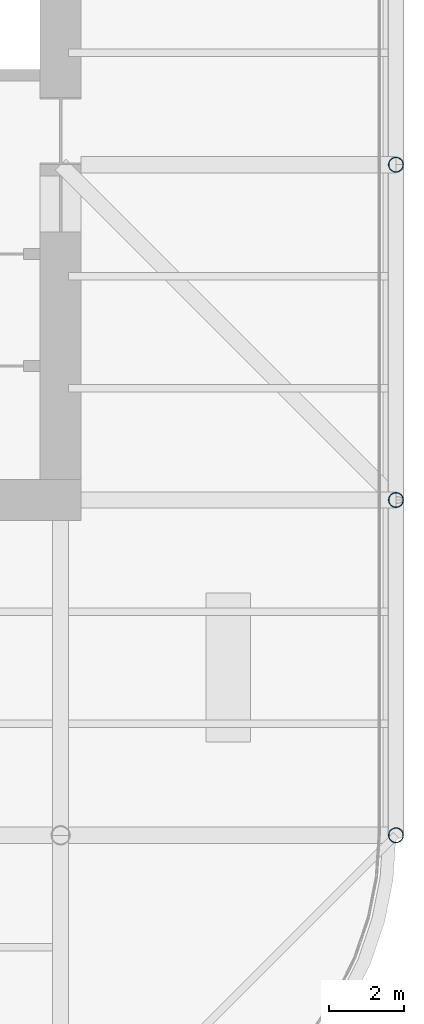
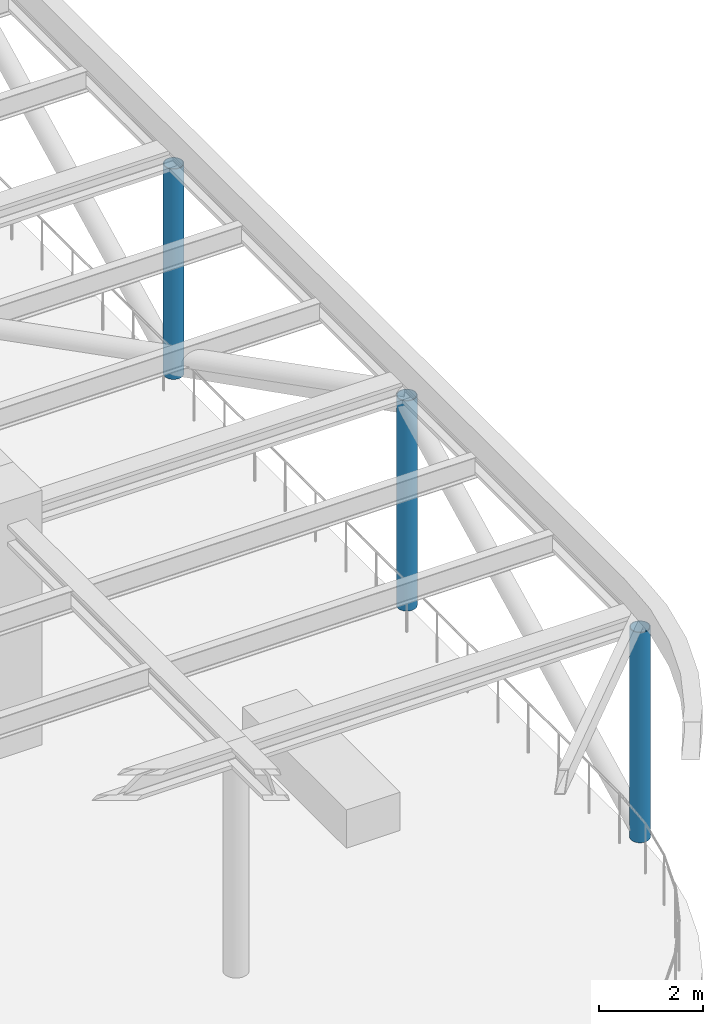
# One storey, part 2 of 8: 3 columns.
"""IFC4 building model written with IfcOpenShell, lengths in metres."""

import ifcopenshell
import ifcopenshell.guid

model = None  # the IFC model being written
_history = None  # IfcOwnerHistory: only IFC2X3 demands one
_inside = {}  # id of a spatial element -> (the spatial element, [elements in it])
_under = {}  # id of a project, library or spatial element -> (it, [spatial elements below it])
_declared = {}  # id of a project -> (the project, [libraries it declares])
_typed = {}  # id of a type object -> (the type object, [elements of that type])
_made_of = {}  # id of a material, layer set ... -> (it, [elements and type objects made of it])


def new_model(schema):
    """Start an empty IFC model of exactly this schema.

    Asked for "IFC4X3", IfcOpenShell would pick the latest addendum, in which some entities
    have other attributes; the version numbers below select the first issue.
    IFC2X3 requires an IfcOwnerHistory on every rooted entity: one is made here for all.
    """
    global model, _history
    if schema == "IFC4X3":
        model = ifcopenshell.file(schema_version=(4, 3, 0, 0))
    else:
        model = ifcopenshell.file(schema=schema)
    _inside.clear()
    _under.clear()
    _declared.clear()
    _typed.clear()
    _made_of.clear()
    _history = None
    if model.schema == "IFC2X3":
        org = make("IfcOrganization", Name="unknown")
        user = make(
            "IfcPersonAndOrganization",
            ThePerson=make("IfcPerson", FamilyName="unknown"),
            TheOrganization=org,
        )
        app = make(
            "IfcApplication",
            ApplicationDeveloper=org,
            Version="unknown",
            ApplicationFullName="unknown",
            ApplicationIdentifier="unknown",
        )
        _history = make(
            "IfcOwnerHistory",
            OwningUser=user,
            OwningApplication=app,
            ChangeAction="ADDED",
            CreationDate=0,
        )
    return model


def make(cls, **values):
    """One entity of the class cls with the attributes given. An attribute that is None is left unset."""
    return model.create_entity(
        cls, **{name: value for name, value in values.items() if value is not None}
    )


def rooted(cls, **values):
    """An entity with a GlobalId (a new one), such as an element, a storey or a relation."""
    return make(cls, GlobalId=ifcopenshell.guid.new(), OwnerHistory=_history, **values)


def si_unit(unit_type, name, prefix=None):
    """IfcSIUnit, for example si_unit("LENGTHUNIT", "METRE", prefix="MILLI")."""
    return make("IfcSIUnit", UnitType=unit_type, Prefix=prefix, Name=name)


def assignment(units):
    """IfcUnitAssignment: the units of a project."""
    return None if units is None else make("IfcUnitAssignment", Units=units)


def point(xyz):
    """IfcCartesianPoint."""
    return None if xyz is None else make("IfcCartesianPoint", Coordinates=xyz)


def direction(xyz):
    """IfcDirection."""
    return None if xyz is None else make("IfcDirection", DirectionRatios=xyz)


def frame(location, z_axis=None, x_axis=None):
    """IfcAxis2Placement3D, a coordinate frame: its origin and axes. An axis left out is left unset."""
    return make(
        "IfcAxis2Placement3D",
        Location=point(location),
        Axis=direction(z_axis),
        RefDirection=direction(x_axis),
    )


def frame_2d(location, x_axis=None):
    """IfcAxis2Placement2D, a coordinate frame in the plane: its origin and x axis."""
    return make(
        "IfcAxis2Placement2D", Location=point(location), RefDirection=direction(x_axis)
    )


def origin():
    """The frame at (0, 0, 0) with its axes left unset."""
    return frame((0.0, 0.0, 0.0))


def origin_2d():
    """The frame at (0, 0) in the plane with its x axis left unset."""
    return frame_2d((0.0, 0.0))


def place(relative_to, where):
    """IfcLocalPlacement: puts the frame where relative to a parent placement (None: the world)."""
    return make(
        "IfcLocalPlacement", PlacementRelTo=relative_to, RelativePlacement=where
    )


def context(
    kind, dimensions, precision=None, world=None, true_north=None, identifier=None
):
    """IfcGeometricRepresentationContext, for example the 3D "Model" context."""
    return make(
        "IfcGeometricRepresentationContext",
        ContextIdentifier=identifier,
        ContextType=kind,
        CoordinateSpaceDimension=dimensions,
        Precision=precision,
        WorldCoordinateSystem=world,
        TrueNorth=true_north,
    )


def subcontext(parent, identifier, kind, view, scale=None):
    """IfcGeometricRepresentationSubContext, for example "Body" below "Model"."""
    return make(
        "IfcGeometricRepresentationSubContext",
        ContextIdentifier=identifier,
        ContextType=kind,
        ParentContext=parent,
        TargetScale=scale,
        TargetView=view,
    )


def project(units=None, contexts=None):
    """IfcProject with its units and contexts."""
    return rooted(
        "IfcProject",
        Name="project",
        RepresentationContexts=contexts,
        UnitsInContext=assignment(units),
    )


def spatial(cls, under=None, at=None, **own):
    """A site, building, storey or space (cls), placed at a placement, below another one or the project."""
    s = rooted(cls, ObjectPlacement=at, **own)
    if under is not None:
        _under.setdefault(under.id(), (under, []))[1].append(s)
    return s


def profile(cls, at=None, kind="AREA", **sizes):
    """A parametric profile (cls). Its sizes go by their IFC names, for example OverallWidth=200.0."""
    return make(cls, ProfileType=kind, Position=at, **sizes)


def hollow_circle(**sizes):
    """IfcCircleHollowProfileDef."""
    return profile("IfcCircleHollowProfileDef", **sizes)


def extrude(swept, where, along, depth):
    """IfcExtrudedAreaSolid: the profile swept, set in the frame where, extruded along a direction by depth."""
    return make(
        "IfcExtrudedAreaSolid",
        SweptArea=swept,
        Position=where,
        ExtrudedDirection=direction(along),
        Depth=depth,
    )


def shape(context_of_items, identifier, shape_type, items):
    """IfcShapeRepresentation: the items that make up one representation, for example the "Body"."""
    return make(
        "IfcShapeRepresentation",
        ContextOfItems=context_of_items,
        RepresentationIdentifier=identifier,
        RepresentationType=shape_type,
        Items=items,
    )


def material(Name=None, Category=None):
    """IfcMaterial."""
    return make("IfcMaterial", Name=Name, Category=Category)


def material_profile(
    of_material, cross_section, Name=None, Category=None, Priority=None
):
    """IfcMaterialProfile: a cross section and its material."""
    return make(
        "IfcMaterialProfile",
        Name=Name,
        Material=of_material,
        Profile=cross_section,
        Priority=Priority,
        Category=Category,
    )


def profile_set(profiles, Name=None, composite=None):
    """IfcMaterialProfileSet."""
    return make(
        "IfcMaterialProfileSet",
        Name=Name,
        MaterialProfiles=profiles,
        CompositeProfile=composite,
    )


def made_of(thing, what):
    """Note that an element or type object is made of a material, layer set ...; save() writes the relation."""
    if what is not None:
        _made_of.setdefault(what.id(), (what, []))[1].append(thing)
    return thing


def type_object(cls, material=None, **own):
    """A type object (cls), such as IfcWallType, which elements share."""
    return made_of(rooted(cls, **own), material)


def element(
    cls,
    number,
    at=None,
    inside=None,
    cuts=None,
    type_object=None,
    material=None,
    context=None,
    identifier="Body",
    shape_type=None,
    held_by="IfcProductDefinitionShape",
    body=None,
    shapes=None,
    **own,
):
    """One element of the class cls, such as IfcWall. Its Tag is "e" and its number.

    at: its placement. inside: the storey or other place that contains it. cuts: it is an
    opening in that element (IfcRelVoidsElement). A single representation is given by context,
    identifier, shape_type and body (its items); several are given by shapes. held_by: the class
    of the entity that holds the representations. save() writes the other relations.
    """
    e = rooted(cls, Tag="e%d" % number, ObjectPlacement=at, **own)
    if body is not None:
        shapes = [shape(context, identifier, shape_type, body)]
    if shapes is not None:
        e.Representation = make(held_by, Representations=shapes)
    if inside is not None:
        _inside.setdefault(inside.id(), (inside, []))[1].append(e)
    if cuts is not None:
        rooted(
            "IfcRelVoidsElement", RelatingBuildingElement=cuts, RelatedOpeningElement=e
        )
    if type_object is not None:
        _typed.setdefault(type_object.id(), (type_object, []))[1].append(e)
    return made_of(e, material)


def aggregate(whole, parts):
    """IfcRelAggregates: a whole, such as a stair, and the parts it consists of."""
    return rooted("IfcRelAggregates", RelatingObject=whole, RelatedObjects=parts)


def save(model, path):
    """Write the relations noted so far, then the file.

    IfcRelAggregates (storeys below a building ...), IfcRelContainedInSpatialStructure (elements
    in a storey), IfcRelDefinesByType, IfcRelAssociatesMaterial and IfcRelDeclares: one each for
    every whole, place, type object, material and project.
    """
    for whole, parts in _under.values():
        aggregate(whole, parts)
    for where, things in _inside.values():
        rooted(
            "IfcRelContainedInSpatialStructure",
            RelatedElements=things,
            RelatingStructure=where,
        )
    for kind, things in _typed.values():
        rooted("IfcRelDefinesByType", RelatedObjects=things, RelatingType=kind)
    for what, things in _made_of.values():
        rooted("IfcRelAssociatesMaterial", RelatedObjects=things, RelatingMaterial=what)
    for by, libraries in _declared.values():
        rooted("IfcRelDeclares", RelatingContext=by, RelatedDefinitions=libraries)
    model.write(path)


model = new_model("IFC4")

# Units and contexts
model_context = context("Model", 3, precision=1e-05, world=origin(), true_north=direction((0.0, 1.0)))
body_context = subcontext(model_context, "Body", "Model", "MODEL_VIEW")
ifc_project = project(units=[si_unit("LENGTHUNIT", "METRE"), si_unit("AREAUNIT", "SQUARE_METRE"), si_unit("VOLUMEUNIT", "CUBIC_METRE"), si_unit("PLANEANGLEUNIT", "RADIAN"), si_unit("MASSUNIT", "GRAM", prefix="KILO")], contexts=[model_context])

# Site, building, storey
site_placement = place(None, origin())
site = spatial("IfcSite", under=ifc_project, at=site_placement, CompositionType="ELEMENT")
building_placement = place(site_placement, origin())
building = spatial("IfcBuilding", under=site, at=building_placement, Name="Zorevar Civic Tower", CompositionType="ELEMENT")
storey_placement = place(building_placement, frame((0.0, 0.0, 311.800048828125)))
storey = spatial("IfcBuildingStorey", under=building, at=storey_placement, Name="RF", CompositionType="ELEMENT", Elevation=311.800048828125)

# Columns
ifc_material = material(Name="Steel S355, intumescent coating", Category="steel")
ifc_material_profile = material_profile(ifc_material, hollow_circle(Radius=0.203125, WallThickness=0.01611328125, at=origin_2d()), Name="CHS 406.4x16")
ifc_profile_set = profile_set([ifc_material_profile], Name="Steel S355, intumescent coating")
column_type = type_object("IfcColumnType", Name="Canopy post CHS 406.4x16", PredefinedType="COLUMN", material=ifc_profile_set)
for number, where, z_axis, x_axis, name in (
    (1, (54.0, 9.0, 0.0), (0.0, 0.0, 1.0), (1.0, 0.0, 0.0), "Canopy post 8B"),
    (2, (54.0, 18.0, 0.0), (0.0, 0.0, 1.0), (1.0, 0.0, 0.0), "Canopy post 8C"),
    (3, (54.0, 27.0, 0.0), (0.0, 0.0, 1.0), (1.0, 0.0, 0.0), "Canopy post 8D"),
):
    element("IfcColumn", number, at=place(storey_placement, frame(where, z_axis=z_axis, x_axis=x_axis)), inside=storey, type_object=column_type, Name=name, PredefinedType="COLUMN", context=body_context, shape_type="SweptSolid", body=[
        extrude(hollow_circle(Radius=0.203125, WallThickness=0.01611328125, at=origin_2d()), origin(), (0.0, 0.0, 1.0), 4.951904296875),
    ])

save(model, "model.ifc")
